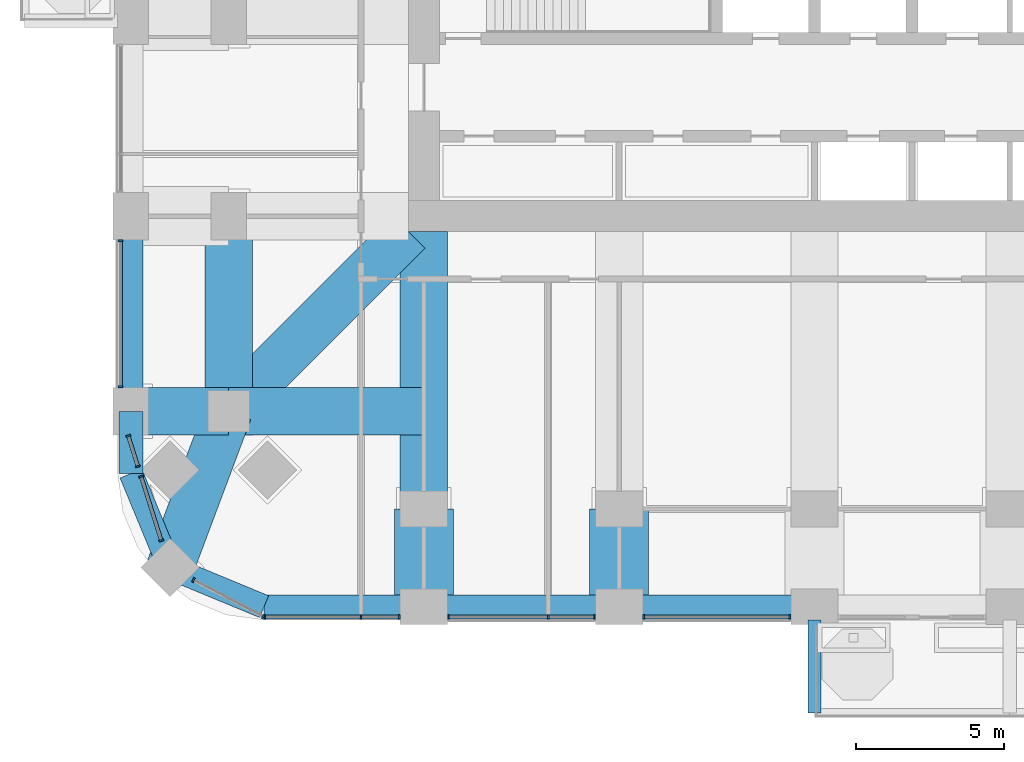
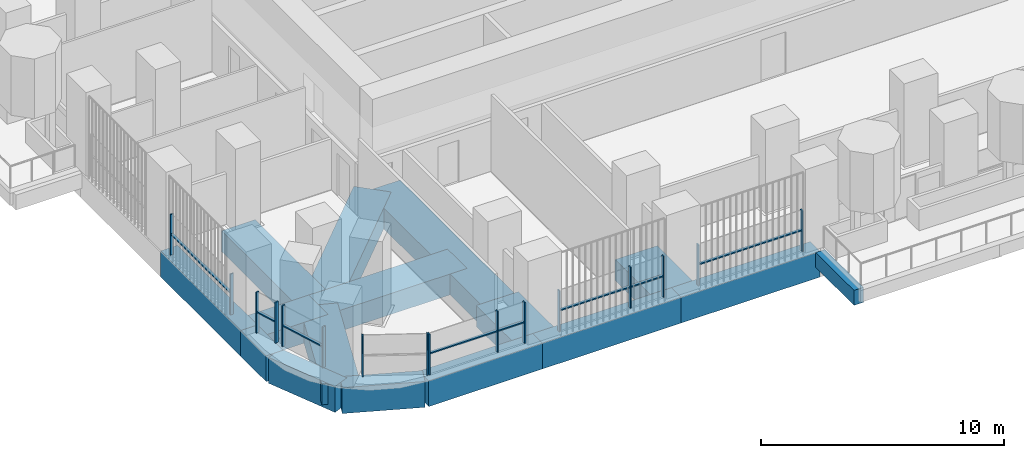
# One storey, part 2 of 22: 24 members, 16 beams, 7 elements without a shape of their own.
"""IFC4 building model written with IfcOpenShell, lengths in metres."""

from ifc_helpers import new_model, si_unit, direction, frame, origin, origin_2d, place, context, subcontext, project, spatial, rectangle, extrude, material, material_profile, profile_set, type_object, element, aggregate, save


model = new_model("IFC4")

# Units and contexts
model_context = context("Model", 3, precision=1e-05, world=origin(), true_north=direction((0.0, 1.0)))
body_context = subcontext(model_context, "Body", "Model", "MODEL_VIEW")
ifc_project = project(units=[si_unit("LENGTHUNIT", "METRE"), si_unit("AREAUNIT", "SQUARE_METRE"), si_unit("VOLUMEUNIT", "CUBIC_METRE"), si_unit("PLANEANGLEUNIT", "RADIAN"), si_unit("MASSUNIT", "GRAM", prefix="KILO")], contexts=[model_context])

# Site, building, storey
site_placement = place(None, origin())
site = spatial("IfcSite", under=ifc_project, at=site_placement, CompositionType="ELEMENT")
building_placement = place(site_placement, origin())
building = spatial("IfcBuilding", under=site, at=building_placement, Name="Cobogo Forest Laboratory Tower", CompositionType="ELEMENT")
storey_placement = place(building_placement, frame((0.0, 0.0, 145.199951171875)))
storey = spatial("IfcBuildingStorey", under=building, at=storey_placement, Name="L33", CompositionType="ELEMENT", Elevation=145.199951171875)

# Beams
ifc_material_1 = material(Name="Concrete HA-40 (C40/50)", Category="concrete")
ifc_material_profile_1 = material_profile(ifc_material_1, rectangle(XDim=0.449951171875, YDim=0.75, at=origin_2d()), Name="RC 450x750")
ifc_profile_set_1 = profile_set([ifc_material_profile_1], Name="Concrete HA-40 (C40/50)")
beam_type_1 = type_object("IfcBeamType", Name="Balcony cantilever beam 450x750", PredefinedType="BEAM", material=ifc_profile_set_1)
beam_1_placement = place(storey_placement, frame((26.39990234375, -0.449951171875, -0.625), z_axis=(0.0, -1.0, 0.0), x_axis=(1.0, 0.0, 0.0)))
element("IfcBeam", 1, at=beam_1_placement, inside=storey, type_object=beam_type_1, Name="CB1 BAL-S1-C1 L33", PredefinedType="BEAM", context=body_context, shape_type="SweptSolid", body=[
    extrude(rectangle(XDim=0.449951171875, YDim=0.75, at=origin_2d()), origin(), (0.0, 0.0, 1.0), 3.150146484375),
])
ifc_material_2 = material(Name="Concrete HA-50 (C50/60)", Category="concrete")
ifc_material_profile_2 = material_profile(ifc_material_2, rectangle(XDim=2.0, YDim=1.050048828125, at=origin_2d()), Name="RC 2000x1050")
ifc_profile_set_2 = profile_set([ifc_material_profile_2], Name="Concrete HA-50 (C50/60)")
beam_type_2 = type_object("IfcBeamType", Name="End-bay wide beam 2000x1050", PredefinedType="BEAM", material=ifc_profile_set_2)
for number, where, z_axis, x_axis, name in (
    (2, (13.199951171875, 0.0, -0.824951171875), (0.0, 1.0, 0.0), (-1.0, 0.0, 0.0), "RB7 R-3-S-X L33"),
    (3, (19.800048828125, 0.0, -0.824951171875), (0.0, 1.0, 0.0), (-1.0, 0.0, 0.0), "RB7 R-4-S-X L33"),
):
    element("IfcBeam", number, at=place(storey_placement, frame(where, z_axis=z_axis, x_axis=x_axis)), inside=storey, type_object=beam_type_2, Name=name, PredefinedType="BEAM", context=body_context, shape_type="SweptSolid", body=[
        extrude(rectangle(XDim=2.0, YDim=1.050048828125, at=origin_2d()), origin(), (0.0, 0.0, 1.0), 3.300048828125),
    ])
ifc_material_profile_3 = material_profile(ifc_material_2, rectangle(XDim=1.60009765625, YDim=1.050048828125, at=origin_2d()), Name="RC 1600x1050")
ifc_profile_set_3 = profile_set([ifc_material_profile_3], Name="Concrete HA-50 (C50/60)")
beam_type_3 = type_object("IfcBeamType", Name="Laboratory floor wide beam 1600x1050", PredefinedType="BEAM", material=ifc_profile_set_3)
beam_2_placement = place(storey_placement, frame((13.199951171875, 12.675048828125, -0.824951171875), z_axis=(0.0, -1.0, 0.0), x_axis=(1.0, 0.0, 0.0)))
element("IfcBeam", 4, at=beam_2_placement, inside=storey, type_object=beam_type_3, Name="RB8 R-3-S L33", PredefinedType="BEAM", context=body_context, shape_type="SweptSolid", body=[
    extrude(rectangle(XDim=1.60009765625, YDim=1.050048828125, at=origin_2d()), origin(), (0.0, 0.0, 1.0), 9.375),
])
beam_3_placement = place(storey_placement, frame((6.60009765625, 6.60009765625, -0.824951171875), z_axis=(0.0, 1.0, 0.0), x_axis=(-1.0, 0.0, 0.0)))
element("IfcBeam", 5, at=beam_3_placement, inside=storey, type_object=beam_type_3, Name="RB8 G-SW-XC L33", PredefinedType="BEAM", context=body_context, shape_type="SweptSolid", body=[
    extrude(rectangle(XDim=1.60009765625, YDim=1.050048828125, at=origin_2d()), origin(), (0.0, 0.0, 1.0), 6.599853515625),
])
beam_4_placement = place(storey_placement, frame((3.300048828125, 6.60009765625, -0.824951171875), z_axis=(1.0, 0.0, 0.0), x_axis=(0.0, 1.0, 0.0)))
element("IfcBeam", 6, at=beam_4_placement, inside=storey, type_object=beam_type_3, Name="RB8 G-SW-YF L33", PredefinedType="BEAM", context=body_context, shape_type="SweptSolid", body=[
    extrude(rectangle(XDim=1.60009765625, YDim=1.050048828125, at=origin_2d()), origin(), (0.0, 0.0, 1.0), 3.300048828125),
])
beam_5_placement = place(storey_placement, frame((6.60009765625, 6.60009765625, -0.824951171875), z_axis=(1.0, 0.0, 0.0), x_axis=(0.0, 1.0, 0.0)))
element("IfcBeam", 7, at=beam_5_placement, inside=storey, type_object=beam_type_3, Name="RB8 G-SW-YC L33", PredefinedType="BEAM", context=body_context, shape_type="SweptSolid", body=[
    extrude(rectangle(XDim=1.60009765625, YDim=1.050048828125, at=origin_2d()), origin(), (0.0, 0.0, 1.0), 6.599853515625),
])
beam_6_placement = place(storey_placement, frame((4.617919921875, 1.318115234375, -0.824951171875), z_axis=(0.351346325373, 0.936245565889, 0.0), x_axis=(-0.936245565889, 0.351346325373, 0.0)))
element("IfcBeam", 8, at=beam_6_placement, inside=storey, type_object=beam_type_3, Name="RB8 G-SW-D1 L33", PredefinedType="BEAM", context=body_context, shape_type="SweptSolid", body=[
    extrude(rectangle(XDim=1.60009765625, YDim=1.050048828125, at=origin_2d()), origin(), (0.0, 0.0, 1.0), 5.6416015625),
])
beam_7_placement = place(storey_placement, frame((6.60009765625, 6.60009765625, -0.824951171875), z_axis=(0.707106781187, 0.707106781187, 0.0), x_axis=(-0.707106781187, 0.707106781187, 0.0)))
element("IfcBeam", 9, at=beam_7_placement, inside=storey, type_object=beam_type_3, Name="RB8 G-SW-D2 L33", PredefinedType="BEAM", context=body_context, shape_type="SweptSolid", body=[
    extrude(rectangle(XDim=1.60009765625, YDim=1.050048828125, at=origin_2d()), origin(), (0.0, 0.0, 1.0), 8.59130859375),
])

# Curtain wall, members
ifc_material_3 = material(Name="Aluminium curtain wall", Category="aluminium")
curtain_wall_type = type_object("IfcCurtainWallType", Name="CW-1 unitised curtain wall, clear glazing, laboratory floors zones A and B", PredefinedType="USERDEFINED", material=ifc_material_3)
curtain_wall_1_placement = place(storey_placement, origin())
curtain_wall_1 = element("IfcCurtainWall", 10, at=curtain_wall_1_placement, inside=storey, type_object=curtain_wall_type, Name="Curtain wall 01 L33", ObjectType="UNITISED CURTAIN WALL", PredefinedType="USERDEFINED")
ifc_material_4 = material(Name="Aluminium mullion", Category="aluminium")
ifc_material_profile_4 = material_profile(ifc_material_4, rectangle(XDim=0.06005859375, YDim=0.159912109375, at=origin_2d()), Name="AL 60x160")
ifc_profile_set_4 = profile_set([ifc_material_profile_4], Name="Aluminium mullion")
member_type_1 = type_object("IfcMemberType", Name="MU-1 aluminium mullion 60x160", PredefinedType="MULLION", material=ifc_profile_set_4)
member_1_placement = place(storey_placement, frame((7.830078125, -0.35009765625, 0.0), z_axis=(0.0, 0.0, 1.0), x_axis=(1.0, 0.0, 0.0)))
member_1 = element("IfcMember", 11, at=member_1_placement, type_object=member_type_1, Name="CW-1 mullion 1", PredefinedType="MULLION", context=body_context, shape_type="SweptSolid", body=[
    extrude(rectangle(XDim=0.06005859375, YDim=0.159912109375, at=origin_2d()), origin(), (0.0, 0.0, 1.0), 2.050048828125),
])
member_2_placement = place(storey_placement, frame((11.074951171875, -0.35009765625, 0.0), z_axis=(0.0, 0.0, 1.0), x_axis=(1.0, 0.0, 0.0)))
member_2 = element("IfcMember", 12, at=member_2_placement, type_object=member_type_1, Name="CW-1 mullion 2", PredefinedType="MULLION", context=body_context, shape_type="SweptSolid", body=[
    extrude(rectangle(XDim=0.06005859375, YDim=0.159912109375, at=origin_2d()), origin(), (0.0, 0.0, 1.0), 2.050048828125),
])
member_3_placement = place(storey_placement, frame((12.3701171875, -0.35009765625, 0.0), z_axis=(0.0, 0.0, 1.0), x_axis=(1.0, 0.0, 0.0)))
member_3 = element("IfcMember", 13, at=member_3_placement, type_object=member_type_1, Name="CW-1 mullion 3", PredefinedType="MULLION", context=body_context, shape_type="SweptSolid", body=[
    extrude(rectangle(XDim=0.06005859375, YDim=0.159912109375, at=origin_2d()), origin(), (0.0, 0.0, 1.0), 2.050048828125),
])

curtain_wall_2_placement = place(storey_placement, origin())
curtain_wall_2 = element("IfcCurtainWall", 14, at=curtain_wall_2_placement, inside=storey, type_object=curtain_wall_type, Name="Curtain wall 02 L33", ObjectType="UNITISED CURTAIN WALL", PredefinedType="USERDEFINED")
member_4_placement = place(storey_placement, frame((14.030029296875, -0.35009765625, 0.0), z_axis=(0.0, 0.0, 1.0), x_axis=(1.0, 0.0, 0.0)))
member_4 = element("IfcMember", 15, at=member_4_placement, type_object=member_type_1, Name="CW-1 mullion 1", PredefinedType="MULLION", context=body_context, shape_type="SweptSolid", body=[
    extrude(rectangle(XDim=0.06005859375, YDim=0.159912109375, at=origin_2d()), origin(), (0.0, 0.0, 1.0), 2.050048828125),
])
member_5_placement = place(storey_placement, frame((17.39990234375, -0.35009765625, 0.0), z_axis=(0.0, 0.0, 1.0), x_axis=(1.0, 0.0, 0.0)))
member_5 = element("IfcMember", 16, at=member_5_placement, type_object=member_type_1, Name="CW-1 mullion 2", PredefinedType="MULLION", context=body_context, shape_type="SweptSolid", body=[
    extrude(rectangle(XDim=0.06005859375, YDim=0.159912109375, at=origin_2d()), origin(), (0.0, 0.0, 1.0), 2.050048828125),
])
member_6_placement = place(storey_placement, frame((18.969970703125, -0.35009765625, 0.0), z_axis=(0.0, 0.0, 1.0), x_axis=(1.0, 0.0, 0.0)))
member_6 = element("IfcMember", 17, at=member_6_placement, type_object=member_type_1, Name="CW-1 mullion 3", PredefinedType="MULLION", context=body_context, shape_type="SweptSolid", body=[
    extrude(rectangle(XDim=0.06005859375, YDim=0.159912109375, at=origin_2d()), origin(), (0.0, 0.0, 1.0), 2.050048828125),
])

curtain_wall_3_placement = place(storey_placement, origin())
curtain_wall_3 = element("IfcCurtainWall", 18, at=curtain_wall_3_placement, inside=storey, type_object=curtain_wall_type, Name="Curtain wall 03 L33", ObjectType="UNITISED CURTAIN WALL", PredefinedType="USERDEFINED")
member_7_placement = place(storey_placement, frame((20.6298828125, -0.35009765625, 0.0), z_axis=(0.0, 0.0, 1.0), x_axis=(1.0, 0.0, 0.0)))
member_7 = element("IfcMember", 19, at=member_7_placement, type_object=member_type_1, Name="CW-1 mullion 1", PredefinedType="MULLION", context=body_context, shape_type="SweptSolid", body=[
    extrude(rectangle(XDim=0.06005859375, YDim=0.159912109375, at=origin_2d()), origin(), (0.0, 0.0, 1.0), 2.050048828125),
])
member_8_placement = place(storey_placement, frame((25.570068359375, -0.35009765625, 0.0), z_axis=(0.0, 0.0, 1.0), x_axis=(1.0, 0.0, 0.0)))
member_8 = element("IfcMember", 20, at=member_8_placement, type_object=member_type_1, Name="CW-1 mullion 2", PredefinedType="MULLION", context=body_context, shape_type="SweptSolid", body=[
    extrude(rectangle(XDim=0.06005859375, YDim=0.159912109375, at=origin_2d()), origin(), (0.0, 0.0, 1.0), 2.050048828125),
])

curtain_wall_4_placement = place(storey_placement, origin())
curtain_wall_4 = element("IfcCurtainWall", 21, at=curtain_wall_4_placement, inside=storey, type_object=curtain_wall_type, Name="Curtain wall 31 L33", ObjectType="UNITISED CURTAIN WALL", PredefinedType="USERDEFINED")
member_9_placement = place(storey_placement, frame((2.949951171875, 12.3701171875, 0.0), z_axis=(0.0, 0.0, 1.0), x_axis=(0.0, -1.0, 0.0)))
member_9 = element("IfcMember", 22, at=member_9_placement, type_object=member_type_1, Name="CW-1 mullion 1", PredefinedType="MULLION", context=body_context, shape_type="SweptSolid", body=[
    extrude(rectangle(XDim=0.06005859375, YDim=0.159912109375, at=origin_2d()), origin(), (0.0, 0.0, 1.0), 2.050048828125),
])
member_10_placement = place(storey_placement, frame((2.949951171875, 7.429931640625, 0.0), z_axis=(0.0, 0.0, 1.0), x_axis=(0.0, -1.0, 0.0)))
member_10 = element("IfcMember", 23, at=member_10_placement, type_object=member_type_1, Name="CW-1 mullion 2", PredefinedType="MULLION", context=body_context, shape_type="SweptSolid", body=[
    extrude(rectangle(XDim=0.06005859375, YDim=0.159912109375, at=origin_2d()), origin(), (0.0, 0.0, 1.0), 2.050048828125),
])

curtain_wall_5_placement = place(storey_placement, origin())
curtain_wall_5 = element("IfcCurtainWall", 24, at=curtain_wall_5_placement, inside=storey, type_object=curtain_wall_type, Name="Curtain wall 32 L33", ObjectType="UNITISED CURTAIN WALL", PredefinedType="USERDEFINED")
member_11_placement = place(storey_placement, frame((3.211669921875, 5.771484375, 0.0), z_axis=(0.0, 0.0, 1.0), x_axis=(0.3011355018, -0.953581359694, 0.0)))
member_11 = element("IfcMember", 25, at=member_11_placement, type_object=member_type_1, Name="CW-1 mullion 1", PredefinedType="MULLION", context=body_context, shape_type="SweptSolid", body=[
    extrude(rectangle(XDim=0.06005859375, YDim=0.159912109375, at=origin_2d()), origin(), (0.0, 0.0, 1.0), 2.050048828125),
])
member_12_placement = place(storey_placement, frame((3.53515625, 4.74658203125, 0.0), z_axis=(0.0, 0.0, 1.0), x_axis=(0.3011355018, -0.953581359694, 0.0)))
member_12 = element("IfcMember", 26, at=member_12_placement, type_object=member_type_1, Name="CW-1 mullion 2", PredefinedType="MULLION", context=body_context, shape_type="SweptSolid", body=[
    extrude(rectangle(XDim=0.06005859375, YDim=0.159912109375, at=origin_2d()), origin(), (0.0, 0.0, 1.0), 2.050048828125),
])

curtain_wall_6_placement = place(storey_placement, origin())
curtain_wall_6 = element("IfcCurtainWall", 27, at=curtain_wall_6_placement, inside=storey, type_object=curtain_wall_type, Name="Curtain wall 33 L33", ObjectType="UNITISED CURTAIN WALL", PredefinedType="USERDEFINED")
member_13_placement = place(storey_placement, frame((3.645751953125, 4.39697265625, 0.0), z_axis=(0.0, 0.0, 1.0), x_axis=(0.301135343623, -0.953581409645, 0.0)))
member_13 = element("IfcMember", 28, at=member_13_placement, type_object=member_type_1, Name="CW-1 mullion 1", PredefinedType="MULLION", context=body_context, shape_type="SweptSolid", body=[
    extrude(rectangle(XDim=0.06005859375, YDim=0.159912109375, at=origin_2d()), origin(), (0.0, 0.0, 1.0), 2.050048828125),
])
member_14_placement = place(storey_placement, frame((4.3271484375, 2.23876953125, 0.0), z_axis=(0.0, 0.0, 1.0), x_axis=(0.301135343623, -0.953581409645, 0.0)))
member_14 = element("IfcMember", 29, at=member_14_placement, type_object=member_type_1, Name="CW-1 mullion 2", PredefinedType="MULLION", context=body_context, shape_type="SweptSolid", body=[
    extrude(rectangle(XDim=0.06005859375, YDim=0.159912109375, at=origin_2d()), origin(), (0.0, 0.0, 1.0), 2.050048828125),
])

curtain_wall_7_placement = place(storey_placement, origin())
curtain_wall_7 = element("IfcCurtainWall", 30, at=curtain_wall_7_placement, inside=storey, type_object=curtain_wall_type, Name="Curtain wall 34 L33", ObjectType="UNITISED CURTAIN WALL", PredefinedType="USERDEFINED")
member_15_placement = place(storey_placement, frame((5.414794921875, 0.900390625, 0.0), z_axis=(0.0, 0.0, 1.0), x_axis=(0.885686540666, -0.464283697413, 0.0)))
member_15 = element("IfcMember", 31, at=member_15_placement, type_object=member_type_1, Name="CW-1 mullion 1", PredefinedType="MULLION", context=body_context, shape_type="SweptSolid", body=[
    extrude(rectangle(XDim=0.06005859375, YDim=0.159912109375, at=origin_2d()), origin(), (0.0, 0.0, 1.0), 2.050048828125),
])
member_16_placement = place(storey_placement, frame((7.7734375, -0.336181640625, 0.0), z_axis=(0.0, 0.0, 1.0), x_axis=(0.885686540666, -0.464283697413, 0.0)))
member_16 = element("IfcMember", 32, at=member_16_placement, type_object=member_type_1, Name="CW-1 mullion 2", PredefinedType="MULLION", context=body_context, shape_type="SweptSolid", body=[
    extrude(rectangle(XDim=0.06005859375, YDim=0.159912109375, at=origin_2d()), origin(), (0.0, 0.0, 1.0), 2.050048828125),
])
aggregate(curtain_wall_7, [member_15, member_16])

# Beams
ifc_material_profile_5 = material_profile(ifc_material_1, rectangle(XDim=0.800048828125, YDim=1.300048828125, at=origin_2d()), Name="RC 800x1300")
ifc_profile_set_5 = profile_set([ifc_material_profile_5], Name="Concrete HA-40 (C40/50)")
beam_type_4 = type_object("IfcBeamType", Name="Perimeter edge beam 800x1300", PredefinedType="BEAM", material=ifc_profile_set_5)
beam_8_placement = place(storey_placement, frame((13.199951171875, 0.0, -0.949951171875), z_axis=(1.0, 0.0, 0.0), x_axis=(0.0, 1.0, 0.0)))
element("IfcBeam", 33, at=beam_8_placement, inside=storey, type_object=beam_type_4, Name="EB2 E-S1 L33", PredefinedType="BEAM", context=body_context, shape_type="SweptSolid", body=[
    extrude(rectangle(XDim=0.800048828125, YDim=1.300048828125, at=origin_2d()), origin(), (0.0, 0.0, 1.0), 6.60009765625),
])
for number, where, z_axis, x_axis, name in (
    (34, (19.800048828125, 0.0, -0.949951171875), (1.0, 0.0, 0.0), (0.0, 1.0, 0.0), "EB2 E-S2 L33"),
    (35, (3.300048828125, 6.60009765625, -0.949951171875), (0.0, 1.0, 0.0), (-1.0, 0.0, 0.0), "EB2 E-W1 L33"),
):
    element("IfcBeam", number, at=place(storey_placement, frame(where, z_axis=z_axis, x_axis=x_axis)), inside=storey, type_object=beam_type_4, Name=name, PredefinedType="BEAM", context=body_context, shape_type="SweptSolid", body=[
        extrude(rectangle(XDim=0.800048828125, YDim=1.300048828125, at=origin_2d()), origin(), (0.0, 0.0, 1.0), 6.599853515625),
    ])
beam_9_placement = place(storey_placement, frame((13.199951171875, 0.0, -0.949951171875), z_axis=(-1.0, 0.0, 0.0), x_axis=(0.0, -1.0, 0.0)))
element("IfcBeam", 36, at=beam_9_placement, inside=storey, type_object=beam_type_4, Name="EB2 E-SWS1 L33", PredefinedType="BEAM", context=body_context, shape_type="SweptSolid", body=[
    extrude(rectangle(XDim=0.800048828125, YDim=1.300048828125, at=origin_2d()), origin(), (0.0, 0.0, 1.0), 5.39990234375),
])
beam_10_placement = place(storey_placement, frame((7.800048828125, 0.0, -0.949951171875), z_axis=(-0.923876013265, 0.382691928466, 0.0), x_axis=(-0.382691928466, -0.923876013265, 0.0)))
element("IfcBeam", 37, at=beam_10_placement, inside=storey, type_object=beam_type_4, Name="EB2 E-SWS2 L33", PredefinedType="BEAM", context=body_context, shape_type="SweptSolid", body=[
    extrude(rectangle(XDim=0.800048828125, YDim=1.300048828125, at=origin_2d()), origin(), (0.0, 0.0, 1.0), 3.4443359375),
])
beam_11_placement = place(storey_placement, frame((3.300048828125, 6.60009765625, -0.949951171875), z_axis=(0.0, -1.0, 0.0), x_axis=(1.0, 0.0, 0.0)))
element("IfcBeam", 38, at=beam_11_placement, inside=storey, type_object=beam_type_4, Name="EB2 E-SWW1 L33", PredefinedType="BEAM", context=body_context, shape_type="SweptSolid", body=[
    extrude(rectangle(XDim=0.800048828125, YDim=1.300048828125, at=origin_2d()), origin(), (0.0, 0.0, 1.0), 2.10009765625),
])
beam_12_placement = place(storey_placement, frame((3.300048828125, 4.5, -0.949951171875), z_axis=(0.382656484822, -0.923890694089, 0.0), x_axis=(0.923890694089, 0.382656484822, 0.0)))
element("IfcBeam", 39, at=beam_12_placement, inside=storey, type_object=beam_type_4, Name="EB2 E-SWW2 L33", PredefinedType="BEAM", context=body_context, shape_type="SweptSolid", body=[
    extrude(rectangle(XDim=0.800048828125, YDim=1.300048828125, at=origin_2d()), origin(), (0.0, 0.0, 1.0), 3.444091796875),
])

# Member
ifc_material_5 = material(Name="Aluminium transom", Category="aluminium")
ifc_material_profile_6 = material_profile(ifc_material_5, rectangle(XDim=0.1201171875, YDim=0.06005859375, at=origin_2d()), Name="AL 60x120")
ifc_profile_set_6 = profile_set([ifc_material_profile_6], Name="Aluminium transom")
member_type_2 = type_object("IfcMemberType", Name="TR-1 aluminium transom 60x120", PredefinedType="USERDEFINED", material=ifc_profile_set_6)
member_17_placement = place(storey_placement, frame((7.860107421875, -0.35009765625, 1.050048828125), z_axis=(1.0, 0.0, 0.0), x_axis=(0.0, 1.0, 0.0)))
member_17 = element("IfcMember", 40, at=member_17_placement, type_object=member_type_2, Name="CW-1 transom 1.1", ObjectType="TRANSOM", PredefinedType="USERDEFINED", context=body_context, shape_type="SweptSolid", body=[
    extrude(rectangle(XDim=0.1201171875, YDim=0.06005859375, at=origin_2d()), origin(), (0.0, 0.0, 1.0), 3.184814453125),
])

member_18_placement = place(storey_placement, frame((11.10498046875, -0.35009765625, 1.050048828125), z_axis=(1.0, 0.0, 0.0), x_axis=(0.0, 1.0, 0.0)))
member_18 = element("IfcMember", 41, at=member_18_placement, type_object=member_type_2, Name="CW-1 transom 2.1", ObjectType="TRANSOM", PredefinedType="USERDEFINED", context=body_context, shape_type="SweptSolid", body=[
    extrude(rectangle(XDim=0.1201171875, YDim=0.06005859375, at=origin_2d()), origin(), (0.0, 0.0, 1.0), 1.235107421875),
])

aggregate(curtain_wall_1, [member_1, member_2, member_3, member_17, member_18])

member_19_placement = place(storey_placement, frame((14.06005859375, -0.35009765625, 1.050048828125), z_axis=(1.0, 0.0, 0.0), x_axis=(0.0, 1.0, 0.0)))
member_19 = element("IfcMember", 42, at=member_19_placement, type_object=member_type_2, Name="CW-1 transom 1.1", ObjectType="TRANSOM", PredefinedType="USERDEFINED", context=body_context, shape_type="SweptSolid", body=[
    extrude(rectangle(XDim=0.1201171875, YDim=0.06005859375, at=origin_2d()), origin(), (0.0, 0.0, 1.0), 3.31005859375),
])

member_20_placement = place(storey_placement, frame((17.429931640625, -0.35009765625, 1.050048828125), z_axis=(1.0, 0.0, 0.0), x_axis=(0.0, 1.0, 0.0)))
member_20 = element("IfcMember", 43, at=member_20_placement, type_object=member_type_2, Name="CW-1 transom 2.1", ObjectType="TRANSOM", PredefinedType="USERDEFINED", context=body_context, shape_type="SweptSolid", body=[
    extrude(rectangle(XDim=0.1201171875, YDim=0.06005859375, at=origin_2d()), origin(), (0.0, 0.0, 1.0), 1.510009765625),
])

aggregate(curtain_wall_2, [member_4, member_5, member_6, member_19, member_20])

member_21_placement = place(storey_placement, frame((20.659912109375, -0.35009765625, 1.050048828125), z_axis=(1.0, 0.0, 0.0), x_axis=(0.0, 1.0, 0.0)))
member_21 = element("IfcMember", 44, at=member_21_placement, type_object=member_type_2, Name="CW-1 transom 1.1", ObjectType="TRANSOM", PredefinedType="USERDEFINED", context=body_context, shape_type="SweptSolid", body=[
    extrude(rectangle(XDim=0.1201171875, YDim=0.06005859375, at=origin_2d()), origin(), (0.0, 0.0, 1.0), 4.880126953125),
])

aggregate(curtain_wall_3, [member_7, member_8, member_21])

member_22_placement = place(storey_placement, frame((2.949951171875, 12.340087890625, 1.050048828125), z_axis=(0.0, -1.0, 0.0), x_axis=(1.0, 0.0, 0.0)))
member_22 = element("IfcMember", 45, at=member_22_placement, type_object=member_type_2, Name="CW-1 transom 1.1", ObjectType="TRANSOM", PredefinedType="USERDEFINED", context=body_context, shape_type="SweptSolid", body=[
    extrude(rectangle(XDim=0.1201171875, YDim=0.06005859375, at=origin_2d()), origin(), (0.0, 0.0, 1.0), 4.880126953125),
])

aggregate(curtain_wall_4, [member_9, member_10, member_22])

member_23_placement = place(storey_placement, frame((3.220703125, 5.74267578125, 1.050048828125), z_axis=(0.301096810965, -0.953593577174, 0.0), x_axis=(0.953593577174, 0.301096810965, 0.0)))
member_23 = element("IfcMember", 46, at=member_23_placement, type_object=member_type_2, Name="CW-1 transom 1.1", ObjectType="TRANSOM", PredefinedType="USERDEFINED", context=body_context, shape_type="SweptSolid", body=[
    extrude(rectangle(XDim=0.1201171875, YDim=0.06005859375, at=origin_2d()), origin(), (0.0, 0.0, 1.0), 1.014404296875),
])

aggregate(curtain_wall_5, [member_11, member_12, member_23])

member_24_placement = place(storey_placement, frame((3.65478515625, 4.368408203125, 1.050048828125), z_axis=(0.301062426819, -0.953604433273, 0.0), x_axis=(0.953604433273, 0.301062426819, 0.0)))
member_24 = element("IfcMember", 47, at=member_24_placement, type_object=member_type_2, Name="CW-1 transom 1.1", ObjectType="TRANSOM", PredefinedType="USERDEFINED", context=body_context, shape_type="SweptSolid", body=[
    extrude(rectangle(XDim=0.1201171875, YDim=0.06005859375, at=origin_2d()), origin(), (0.0, 0.0, 1.0), 2.203369140625),
])

aggregate(curtain_wall_6, [member_13, member_14, member_24])

save(model, "model.ifc")
